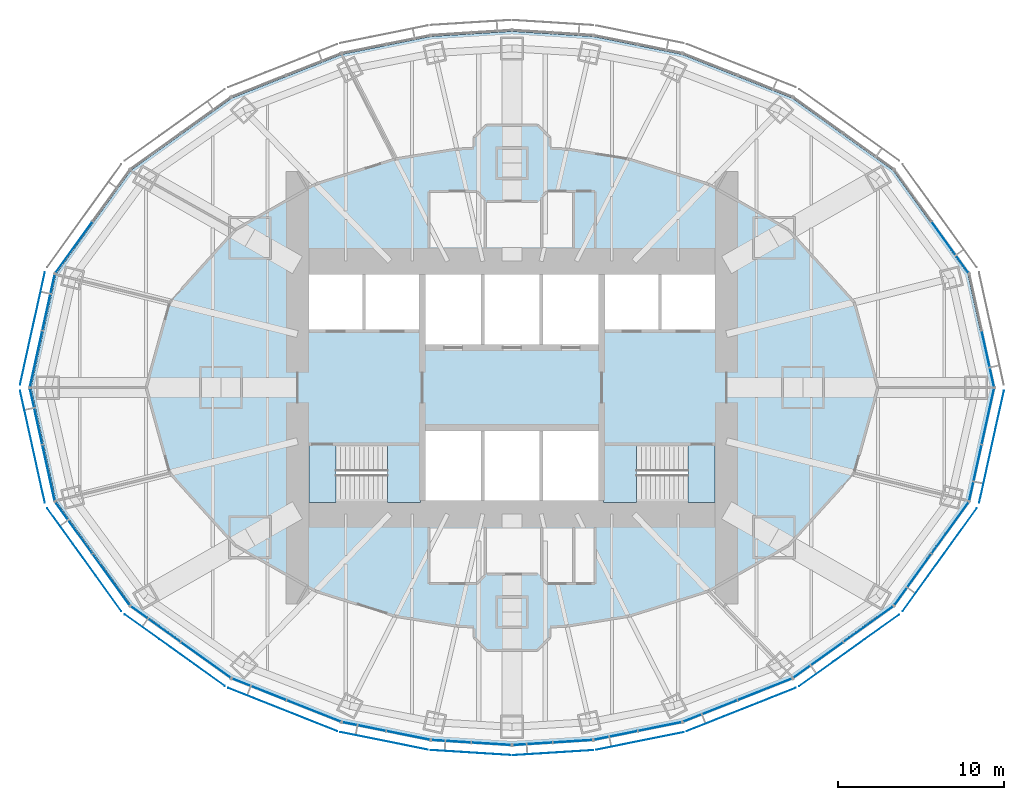
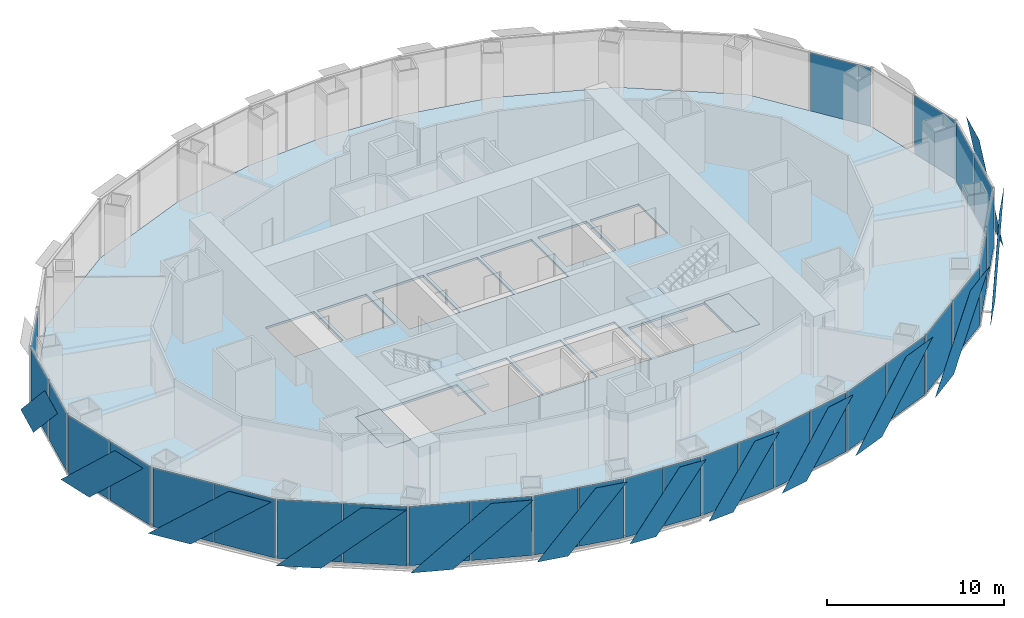
# One storey, part 9 of 17: 42 plates, 5 slabs, 18 elements without a shape of their own.
"""IFC4 building model written with IfcOpenShell, lengths in metres."""

from ifc_helpers import new_model, si_unit, direction, frame, origin, origin_2d, place, context, subcontext, project, spatial, polyline, rectangle, outline, extrude, material, layer, layer_set, type_object, element, aggregate, save


model = new_model("IFC4")

# Units and contexts
model_context = context("Model", 3, precision=1e-05, world=origin(), true_north=direction((0.0, 1.0)))
body_context = subcontext(model_context, "Body", "Model", "MODEL_VIEW")
ifc_project = project(units=[si_unit("LENGTHUNIT", "METRE"), si_unit("AREAUNIT", "SQUARE_METRE"), si_unit("VOLUMEUNIT", "CUBIC_METRE"), si_unit("PLANEANGLEUNIT", "RADIAN"), si_unit("MASSUNIT", "GRAM", prefix="KILO")], contexts=[model_context])

# Site, building, storey
site_placement = place(None, origin())
site = spatial("IfcSite", under=ifc_project, at=site_placement, CompositionType="ELEMENT")
building_placement = place(site_placement, origin())
building = spatial("IfcBuilding", under=site, at=building_placement, Name="Lantaw Convention Tower", CompositionType="ELEMENT")
storey_placement = place(building_placement, frame((0.0, 0.0, 117.39990234375)))
storey = spatial("IfcBuildingStorey", under=building, at=storey_placement, Name="L27", CompositionType="ELEMENT", Elevation=117.39990234375)

# Curtain wall, plate
ifc_material_1 = material(Name="Aluminium framed curtain wall", Category="aluminium")
curtain_wall_type = type_object("IfcCurtainWallType", Name="Office curtain wall low rise, pale aluminium", PredefinedType="USERDEFINED", material=ifc_material_1)
curtain_wall_1_placement = place(storey_placement, origin())
curtain_wall_1 = element("IfcCurtainWall", 1, at=curtain_wall_1_placement, inside=storey, type_object=curtain_wall_type, Name="Office curtain wall low rise, pale aluminium L27", ObjectType="UNITISED CURTAIN WALL", PredefinedType="USERDEFINED")
ifc_material_2 = material(Name="Clear insulating glass", Category="glass")
ifc_layer_1 = layer(ifc_material_2, 0.028076171875)
ifc_layer_set_1 = layer_set([ifc_layer_1], Name="CW-O1 panel 28")
plate_type_1 = type_object("IfcPlateType", Name="CW-O1 panel 28", PredefinedType="CURTAIN_PANEL", material=ifc_layer_set_1)
plate_1_placement = place(storey_placement, frame((28.618408203125, 1.729248046875, -0.0849609375), z_axis=(0.0, 0.0, 1.0), x_axis=(-0.215546166174, 0.9764936509, 0.0)))
plate_1 = element("IfcPlate", 2, at=plate_1_placement, type_object=plate_type_1, Name="CW-O1 panel 1.1", PredefinedType="CURTAIN_PANEL", context=body_context, shape_type="SweptSolid", body=[
    extrude(rectangle(XDim=3.41162109375, YDim=0.028076171875, at=origin_2d()), origin(), (0.0, 0.0, 1.0), 4.070068359375),
])
aggregate(curtain_wall_1, [plate_1])

curtain_wall_2_placement = place(storey_placement, origin())
curtain_wall_2 = element("IfcCurtainWall", 3, at=curtain_wall_2_placement, inside=storey, type_object=curtain_wall_type, Name="Office curtain wall low rise, pale aluminium L27", ObjectType="UNITISED CURTAIN WALL", PredefinedType="USERDEFINED")
plate_2_placement = place(storey_placement, frame((26.34814453125, 8.4345703125, -0.0849609375), z_axis=(0.0, 0.0, 1.0), x_axis=(-0.584512597221, 0.811384633629, 0.0)))
plate_2 = element("IfcPlate", 4, at=plate_2_placement, type_object=plate_type_1, Name="CW-O1 panel 1.1", PredefinedType="CURTAIN_PANEL", context=body_context, shape_type="SweptSolid", body=[
    extrude(rectangle(XDim=3.767333984375, YDim=0.028076171875, at=origin_2d()), origin(), (0.0, 0.0, 1.0), 4.070068359375),
])
aggregate(curtain_wall_2, [plate_2])

curtain_wall_3_placement = place(storey_placement, origin())
curtain_wall_3 = element("IfcCurtainWall", 5, at=curtain_wall_3_placement, inside=storey, type_object=curtain_wall_type, Name="Office curtain wall low rise, pale aluminium L27", ObjectType="UNITISED CURTAIN WALL", PredefinedType="USERDEFINED")
plate_3_placement = place(storey_placement, frame((-26.34814453125, 8.4345703125, -0.0849609375), z_axis=(0.0, 0.0, 1.0), x_axis=(-0.584512597221, -0.811384633629, 0.0)))
plate_3 = element("IfcPlate", 6, at=plate_3_placement, type_object=plate_type_1, Name="CW-O1 panel 2.1", PredefinedType="CURTAIN_PANEL", context=body_context, shape_type="SweptSolid", body=[
    extrude(rectangle(XDim=3.767333984375, YDim=0.028076171875, at=origin_2d()), origin(), (0.0, 0.0, 1.0), 4.070068359375),
])
aggregate(curtain_wall_3, [plate_3])

# Curtain wall, plates
curtain_wall_4_placement = place(storey_placement, origin())
curtain_wall_4 = element("IfcCurtainWall", 7, at=curtain_wall_4_placement, inside=storey, type_object=curtain_wall_type, Name="Office curtain wall low rise, pale aluminium L27", ObjectType="UNITISED CURTAIN WALL", PredefinedType="USERDEFINED")
plate_4_placement = place(storey_placement, frame((-27.868896484375, 5.1240234375, -0.0849609375), z_axis=(0.0, 0.0, 1.0), x_axis=(-0.215546166174, -0.9764936509, 0.0)))
plate_4 = element("IfcPlate", 8, at=plate_4_placement, type_object=plate_type_1, Name="CW-O1 panel 1.1", PredefinedType="CURTAIN_PANEL", context=body_context, shape_type="SweptSolid", body=[
    extrude(rectangle(XDim=3.41162109375, YDim=0.028076171875, at=origin_2d()), origin(), (0.0, 0.0, 1.0), 4.070068359375),
])
plate_5_placement = place(storey_placement, frame((-28.618408203125, 1.729248046875, -0.0849609375), z_axis=(0.0, 0.0, 1.0), x_axis=(-0.215546166174, -0.9764936509, 0.0)))
plate_5 = element("IfcPlate", 9, at=plate_5_placement, type_object=plate_type_1, Name="CW-O1 panel 2.1", PredefinedType="CURTAIN_PANEL", context=body_context, shape_type="SweptSolid", body=[
    extrude(rectangle(XDim=3.41162109375, YDim=0.028076171875, at=origin_2d()), origin(), (0.0, 0.0, 1.0), 4.070068359375),
])
aggregate(curtain_wall_4, [plate_4, plate_5])

curtain_wall_5_placement = place(storey_placement, origin())
curtain_wall_5 = element("IfcCurtainWall", 10, at=curtain_wall_5_placement, inside=storey, type_object=curtain_wall_type, Name="Office curtain wall low rise, pale aluminium L27", ObjectType="UNITISED CURTAIN WALL", PredefinedType="USERDEFINED")
plate_6_placement = place(storey_placement, frame((-28.618408203125, -1.729248046875, -0.0849609375), z_axis=(0.0, 0.0, 1.0), x_axis=(0.215546166174, -0.9764936509, 0.0)))
plate_6 = element("IfcPlate", 11, at=plate_6_placement, type_object=plate_type_1, Name="CW-O1 panel 1.1", PredefinedType="CURTAIN_PANEL", context=body_context, shape_type="SweptSolid", body=[
    extrude(rectangle(XDim=3.41162109375, YDim=0.028076171875, at=origin_2d()), origin(), (0.0, 0.0, 1.0), 4.070068359375),
])
plate_7_placement = place(storey_placement, frame((-27.868896484375, -5.1240234375, -0.0849609375), z_axis=(0.0, 0.0, 1.0), x_axis=(0.215546166174, -0.9764936509, 0.0)))
plate_7 = element("IfcPlate", 12, at=plate_7_placement, type_object=plate_type_1, Name="CW-O1 panel 2.1", PredefinedType="CURTAIN_PANEL", context=body_context, shape_type="SweptSolid", body=[
    extrude(rectangle(XDim=3.41162109375, YDim=0.028076171875, at=origin_2d()), origin(), (0.0, 0.0, 1.0), 4.070068359375),
])
aggregate(curtain_wall_5, [plate_6, plate_7])

curtain_wall_6_placement = place(storey_placement, origin())
curtain_wall_6 = element("IfcCurtainWall", 13, at=curtain_wall_6_placement, inside=storey, type_object=curtain_wall_type, Name="Office curtain wall low rise, pale aluminium L27", ObjectType="UNITISED CURTAIN WALL", PredefinedType="USERDEFINED")
plate_8_placement = place(storey_placement, frame((-26.34814453125, -8.4345703125, -0.0849609375), z_axis=(0.0, 0.0, 1.0), x_axis=(0.584512597221, -0.811384633629, 0.0)))
plate_8 = element("IfcPlate", 14, at=plate_8_placement, type_object=plate_type_1, Name="CW-O1 panel 1.1", PredefinedType="CURTAIN_PANEL", context=body_context, shape_type="SweptSolid", body=[
    extrude(rectangle(XDim=3.767333984375, YDim=0.028076171875, at=origin_2d()), origin(), (0.0, 0.0, 1.0), 4.070068359375),
])
plate_9_placement = place(storey_placement, frame((-24.108154296875, -11.5439453125, -0.0849609375), z_axis=(0.0, 0.0, 1.0), x_axis=(0.584512597221, -0.811384633629, 0.0)))
plate_9 = element("IfcPlate", 15, at=plate_9_placement, type_object=plate_type_1, Name="CW-O1 panel 2.1", PredefinedType="CURTAIN_PANEL", context=body_context, shape_type="SweptSolid", body=[
    extrude(rectangle(XDim=3.767333984375, YDim=0.028076171875, at=origin_2d()), origin(), (0.0, 0.0, 1.0), 4.070068359375),
])
aggregate(curtain_wall_6, [plate_8, plate_9])

curtain_wall_7_placement = place(storey_placement, origin())
curtain_wall_7 = element("IfcCurtainWall", 16, at=curtain_wall_7_placement, inside=storey, type_object=curtain_wall_type, Name="Office curtain wall low rise, pale aluminium L27", ObjectType="UNITISED CURTAIN WALL", PredefinedType="USERDEFINED")
plate_10_placement = place(storey_placement, frame((-21.43408203125, -14.2236328125, -0.0849609375), z_axis=(0.0, 0.0, 1.0), x_axis=(0.813208325995, -0.581972695693, 0.0)))
plate_10 = element("IfcPlate", 17, at=plate_10_placement, type_object=plate_type_1, Name="CW-O1 panel 1.1", PredefinedType="CURTAIN_PANEL", context=body_context, shape_type="SweptSolid", body=[
    extrude(rectangle(XDim=3.645263671875, YDim=0.028076171875, at=origin_2d()), origin(), (0.0, 0.0, 1.0), 4.070068359375),
])
plate_11_placement = place(storey_placement, frame((-18.416748046875, -16.383056640625, -0.0849609375), z_axis=(0.0, 0.0, 1.0), x_axis=(0.813208325995, -0.581972695693, 0.0)))
plate_11 = element("IfcPlate", 18, at=plate_11_placement, type_object=plate_type_1, Name="CW-O1 panel 2.1", PredefinedType="CURTAIN_PANEL", context=body_context, shape_type="SweptSolid", body=[
    extrude(rectangle(XDim=3.645263671875, YDim=0.028076171875, at=origin_2d()), origin(), (0.0, 0.0, 1.0), 4.070068359375),
])
aggregate(curtain_wall_7, [plate_10, plate_11])

curtain_wall_8_placement = place(storey_placement, origin())
curtain_wall_8 = element("IfcCurtainWall", 19, at=curtain_wall_8_placement, inside=storey, type_object=curtain_wall_type, Name="Office curtain wall low rise, pale aluminium L27", ObjectType="UNITISED CURTAIN WALL", PredefinedType="USERDEFINED")
plate_12_placement = place(storey_placement, frame((-15.208251953125, -18.145263671875, -0.0849609375), z_axis=(0.0, 0.0, 1.0), x_axis=(0.929547687544, -0.368701907483, 0.0)))
plate_12 = element("IfcPlate", 20, at=plate_12_placement, type_object=plate_type_1, Name="CW-O1 panel 1.1", PredefinedType="CURTAIN_PANEL", context=body_context, shape_type="SweptSolid", body=[
    extrude(rectangle(XDim=3.470703125, YDim=0.028076171875, at=origin_2d()), origin(), (0.0, 0.0, 1.0), 4.070068359375),
])
plate_13_placement = place(storey_placement, frame((-11.921630859375, -19.448974609375, -0.0849609375), z_axis=(0.0, 0.0, 1.0), x_axis=(0.929547687544, -0.368701907483, 0.0)))
plate_13 = element("IfcPlate", 21, at=plate_13_placement, type_object=plate_type_1, Name="CW-O1 panel 2.1", PredefinedType="CURTAIN_PANEL", context=body_context, shape_type="SweptSolid", body=[
    extrude(rectangle(XDim=3.470703125, YDim=0.028076171875, at=origin_2d()), origin(), (0.0, 0.0, 1.0), 4.070068359375),
])
aggregate(curtain_wall_8, [plate_12, plate_13])

curtain_wall_9_placement = place(storey_placement, origin())
curtain_wall_9 = element("IfcCurtainWall", 22, at=curtain_wall_9_placement, inside=storey, type_object=curtain_wall_type, Name="Office curtain wall low rise, pale aluminium L27", ObjectType="UNITISED CURTAIN WALL", PredefinedType="USERDEFINED")
plate_14_placement = place(storey_placement, frame((-8.893310546875, -20.3857421875, -0.0849609375), z_axis=(0.0, 0.0, 1.0), x_axis=(0.980301514912, -0.197506809659, 0.0)))
plate_14 = element("IfcPlate", 23, at=plate_14_placement, type_object=plate_type_1, Name="CW-O1 panel 1.1", PredefinedType="CURTAIN_PANEL", context=body_context, shape_type="SweptSolid", body=[
    extrude(rectangle(XDim=2.634033203125, YDim=0.028076171875, at=origin_2d()), origin(), (0.0, 0.0, 1.0), 4.070068359375),
])
plate_15_placement = place(storey_placement, frame((-6.247314453125, -20.9189453125, -0.0849609375), z_axis=(0.0, 0.0, 1.0), x_axis=(0.980301514912, -0.197506809659, 0.0)))
plate_15 = element("IfcPlate", 24, at=plate_15_placement, type_object=plate_type_1, Name="CW-O1 panel 2.1", PredefinedType="CURTAIN_PANEL", context=body_context, shape_type="SweptSolid", body=[
    extrude(rectangle(XDim=2.634033203125, YDim=0.028076171875, at=origin_2d()), origin(), (0.0, 0.0, 1.0), 4.070068359375),
])
aggregate(curtain_wall_9, [plate_14, plate_15])

curtain_wall_10_placement = place(storey_placement, origin())
curtain_wall_10 = element("IfcCurtainWall", 25, at=curtain_wall_10_placement, inside=storey, type_object=curtain_wall_type, Name="Office curtain wall low rise, pale aluminium L27", ObjectType="UNITISED CURTAIN WALL", PredefinedType="USERDEFINED")
plate_16_placement = place(storey_placement, frame((-3.653076171875, -21.269775390625, -0.0849609375), z_axis=(0.0, 0.0, 1.0), x_axis=(0.998022035978, -0.062865059466, 0.0)))
plate_16 = element("IfcPlate", 26, at=plate_16_placement, type_object=plate_type_1, Name="CW-O1 panel 1.1", PredefinedType="CURTAIN_PANEL", context=body_context, shape_type="SweptSolid", body=[
    extrude(rectangle(XDim=2.353515625, YDim=0.028076171875, at=origin_2d()), origin(), (0.0, 0.0, 1.0), 4.070068359375),
])
plate_17_placement = place(storey_placement, frame((-1.2392578125, -21.421875, -0.0849609375), z_axis=(0.0, 0.0, 1.0), x_axis=(0.998022035978, -0.062865059466, 0.0)))
plate_17 = element("IfcPlate", 27, at=plate_17_placement, type_object=plate_type_1, Name="CW-O1 panel 2.1", PredefinedType="CURTAIN_PANEL", context=body_context, shape_type="SweptSolid", body=[
    extrude(rectangle(XDim=2.353515625, YDim=0.028076171875, at=origin_2d()), origin(), (0.0, 0.0, 1.0), 4.070068359375),
])
aggregate(curtain_wall_10, [plate_16, plate_17])

curtain_wall_11_placement = place(storey_placement, origin())
curtain_wall_11 = element("IfcCurtainWall", 28, at=curtain_wall_11_placement, inside=storey, type_object=curtain_wall_type, Name="Office curtain wall low rise, pale aluminium L27", ObjectType="UNITISED CURTAIN WALL", PredefinedType="USERDEFINED")
plate_18_placement = place(storey_placement, frame((1.2392578125, -21.421875, -0.0849609375), z_axis=(0.0, 0.0, 1.0), x_axis=(0.998022035978, 0.062865059466, 0.0)))
plate_18 = element("IfcPlate", 29, at=plate_18_placement, type_object=plate_type_1, Name="CW-O1 panel 1.1", PredefinedType="CURTAIN_PANEL", context=body_context, shape_type="SweptSolid", body=[
    extrude(rectangle(XDim=2.353515625, YDim=0.028076171875, at=origin_2d()), origin(), (0.0, 0.0, 1.0), 4.070068359375),
])
plate_19_placement = place(storey_placement, frame((3.653076171875, -21.269775390625, -0.0849609375), z_axis=(0.0, 0.0, 1.0), x_axis=(0.998022035978, 0.062865059466, 0.0)))
plate_19 = element("IfcPlate", 30, at=plate_19_placement, type_object=plate_type_1, Name="CW-O1 panel 2.1", PredefinedType="CURTAIN_PANEL", context=body_context, shape_type="SweptSolid", body=[
    extrude(rectangle(XDim=2.353515625, YDim=0.028076171875, at=origin_2d()), origin(), (0.0, 0.0, 1.0), 4.070068359375),
])
aggregate(curtain_wall_11, [plate_18, plate_19])

curtain_wall_12_placement = place(storey_placement, origin())
curtain_wall_12 = element("IfcCurtainWall", 31, at=curtain_wall_12_placement, inside=storey, type_object=curtain_wall_type, Name="Office curtain wall low rise, pale aluminium L27", ObjectType="UNITISED CURTAIN WALL", PredefinedType="USERDEFINED")
plate_20_placement = place(storey_placement, frame((6.247314453125, -20.9189453125, -0.0849609375), z_axis=(0.0, 0.0, 1.0), x_axis=(0.980301514912, 0.197506809659, 0.0)))
plate_20 = element("IfcPlate", 32, at=plate_20_placement, type_object=plate_type_1, Name="CW-O1 panel 1.1", PredefinedType="CURTAIN_PANEL", context=body_context, shape_type="SweptSolid", body=[
    extrude(rectangle(XDim=2.634033203125, YDim=0.028076171875, at=origin_2d()), origin(), (0.0, 0.0, 1.0), 4.070068359375),
])
plate_21_placement = place(storey_placement, frame((8.893310546875, -20.3857421875, -0.0849609375), z_axis=(0.0, 0.0, 1.0), x_axis=(0.980301514912, 0.197506809659, 0.0)))
plate_21 = element("IfcPlate", 33, at=plate_21_placement, type_object=plate_type_1, Name="CW-O1 panel 2.1", PredefinedType="CURTAIN_PANEL", context=body_context, shape_type="SweptSolid", body=[
    extrude(rectangle(XDim=2.634033203125, YDim=0.028076171875, at=origin_2d()), origin(), (0.0, 0.0, 1.0), 4.070068359375),
])
aggregate(curtain_wall_12, [plate_20, plate_21])

curtain_wall_13_placement = place(storey_placement, origin())
curtain_wall_13 = element("IfcCurtainWall", 34, at=curtain_wall_13_placement, inside=storey, type_object=curtain_wall_type, Name="Office curtain wall low rise, pale aluminium L27", ObjectType="UNITISED CURTAIN WALL", PredefinedType="USERDEFINED")
plate_22_placement = place(storey_placement, frame((11.921630859375, -19.448974609375, -0.0849609375), z_axis=(0.0, 0.0, 1.0), x_axis=(0.929547687544, 0.368701907483, 0.0)))
plate_22 = element("IfcPlate", 35, at=plate_22_placement, type_object=plate_type_1, Name="CW-O1 panel 1.1", PredefinedType="CURTAIN_PANEL", context=body_context, shape_type="SweptSolid", body=[
    extrude(rectangle(XDim=3.470703125, YDim=0.028076171875, at=origin_2d()), origin(), (0.0, 0.0, 1.0), 4.070068359375),
])
plate_23_placement = place(storey_placement, frame((15.208251953125, -18.145263671875, -0.0849609375), z_axis=(0.0, 0.0, 1.0), x_axis=(0.929547687544, 0.368701907483, 0.0)))
plate_23 = element("IfcPlate", 36, at=plate_23_placement, type_object=plate_type_1, Name="CW-O1 panel 2.1", PredefinedType="CURTAIN_PANEL", context=body_context, shape_type="SweptSolid", body=[
    extrude(rectangle(XDim=3.470703125, YDim=0.028076171875, at=origin_2d()), origin(), (0.0, 0.0, 1.0), 4.070068359375),
])
aggregate(curtain_wall_13, [plate_22, plate_23])

curtain_wall_14_placement = place(storey_placement, origin())
curtain_wall_14 = element("IfcCurtainWall", 37, at=curtain_wall_14_placement, inside=storey, type_object=curtain_wall_type, Name="Office curtain wall low rise, pale aluminium L27", ObjectType="UNITISED CURTAIN WALL", PredefinedType="USERDEFINED")
plate_24_placement = place(storey_placement, frame((18.416748046875, -16.383056640625, -0.0849609375), z_axis=(0.0, 0.0, 1.0), x_axis=(0.813208325995, 0.581972695693, 0.0)))
plate_24 = element("IfcPlate", 38, at=plate_24_placement, type_object=plate_type_1, Name="CW-O1 panel 1.1", PredefinedType="CURTAIN_PANEL", context=body_context, shape_type="SweptSolid", body=[
    extrude(rectangle(XDim=3.645263671875, YDim=0.028076171875, at=origin_2d()), origin(), (0.0, 0.0, 1.0), 4.070068359375),
])
plate_25_placement = place(storey_placement, frame((21.43408203125, -14.2236328125, -0.0849609375), z_axis=(0.0, 0.0, 1.0), x_axis=(0.813208325995, 0.581972695693, 0.0)))
plate_25 = element("IfcPlate", 39, at=plate_25_placement, type_object=plate_type_1, Name="CW-O1 panel 2.1", PredefinedType="CURTAIN_PANEL", context=body_context, shape_type="SweptSolid", body=[
    extrude(rectangle(XDim=3.645263671875, YDim=0.028076171875, at=origin_2d()), origin(), (0.0, 0.0, 1.0), 4.070068359375),
])
aggregate(curtain_wall_14, [plate_24, plate_25])

curtain_wall_15_placement = place(storey_placement, origin())
curtain_wall_15 = element("IfcCurtainWall", 40, at=curtain_wall_15_placement, inside=storey, type_object=curtain_wall_type, Name="Office curtain wall low rise, pale aluminium L27", ObjectType="UNITISED CURTAIN WALL", PredefinedType="USERDEFINED")
plate_26_placement = place(storey_placement, frame((24.108154296875, -11.5439453125, -0.0849609375), z_axis=(0.0, 0.0, 1.0), x_axis=(0.584512597221, 0.811384633629, 0.0)))
plate_26 = element("IfcPlate", 41, at=plate_26_placement, type_object=plate_type_1, Name="CW-O1 panel 1.1", PredefinedType="CURTAIN_PANEL", context=body_context, shape_type="SweptSolid", body=[
    extrude(rectangle(XDim=3.767333984375, YDim=0.028076171875, at=origin_2d()), origin(), (0.0, 0.0, 1.0), 4.070068359375),
])
plate_27_placement = place(storey_placement, frame((26.34814453125, -8.4345703125, -0.0849609375), z_axis=(0.0, 0.0, 1.0), x_axis=(0.584512597221, 0.811384633629, 0.0)))
plate_27 = element("IfcPlate", 42, at=plate_27_placement, type_object=plate_type_1, Name="CW-O1 panel 2.1", PredefinedType="CURTAIN_PANEL", context=body_context, shape_type="SweptSolid", body=[
    extrude(rectangle(XDim=3.767333984375, YDim=0.028076171875, at=origin_2d()), origin(), (0.0, 0.0, 1.0), 4.070068359375),
])
aggregate(curtain_wall_15, [plate_26, plate_27])

curtain_wall_16_placement = place(storey_placement, origin())
curtain_wall_16 = element("IfcCurtainWall", 43, at=curtain_wall_16_placement, inside=storey, type_object=curtain_wall_type, Name="Office curtain wall low rise, pale aluminium L27", ObjectType="UNITISED CURTAIN WALL", PredefinedType="USERDEFINED")
plate_28_placement = place(storey_placement, frame((27.868896484375, -5.1240234375, -0.0849609375), z_axis=(0.0, 0.0, 1.0), x_axis=(0.215546166174, 0.9764936509, 0.0)))
plate_28 = element("IfcPlate", 44, at=plate_28_placement, type_object=plate_type_1, Name="CW-O1 panel 1.1", PredefinedType="CURTAIN_PANEL", context=body_context, shape_type="SweptSolid", body=[
    extrude(rectangle(XDim=3.41162109375, YDim=0.028076171875, at=origin_2d()), origin(), (0.0, 0.0, 1.0), 4.070068359375),
])
plate_29_placement = place(storey_placement, frame((28.618408203125, -1.729248046875, -0.0849609375), z_axis=(0.0, 0.0, 1.0), x_axis=(0.215546166174, 0.9764936509, 0.0)))
plate_29 = element("IfcPlate", 45, at=plate_29_placement, type_object=plate_type_1, Name="CW-O1 panel 2.1", PredefinedType="CURTAIN_PANEL", context=body_context, shape_type="SweptSolid", body=[
    extrude(rectangle(XDim=3.41162109375, YDim=0.028076171875, at=origin_2d()), origin(), (0.0, 0.0, 1.0), 4.070068359375),
])
aggregate(curtain_wall_16, [plate_28, plate_29])

# Slab
ifc_material_3 = material(Name="Concrete C35/45", Category="concrete")
ifc_layer_2 = layer(ifc_material_3, 0.14990234375)
ifc_layer_set_2 = layer_set([ifc_layer_2], Name="Floor slab 150")
slab_type_1 = type_object("IfcSlabType", Name="Floor slab 150", PredefinedType="FLOOR", material=ifc_layer_set_2)
slab_1_placement = place(storey_placement, frame((0.0, 0.0, -0.14990234375)))
element("IfcSlab", 46, at=slab_1_placement, inside=storey, type_object=slab_type_1, Name="L27 floor slab", PredefinedType="FLOOR", context=body_context, shape_type="SweptSolid", body=[
    extrude(outline(polyline([(27.417236328125, -6.822021484375), (28.923095703125, 0.0), (27.417236328125, 6.822021484375), (22.915283203125, 13.0712890625), (16.845458984375, 17.415283203125), (10.2265625, 20.04052734375), (4.8828125, 21.1171875), (0.0, 21.4248046875), (-4.8828125, 21.1171875), (-10.2265625, 20.04052734375), (-16.845458984375, 17.415283203125), (-22.915283203125, 13.0712890625), (-27.417236328125, 6.822021484375), (-28.923095703125, 0.0), (-27.417236328125, -6.822021484375), (-22.915283203125, -13.0712890625), (-16.845458984375, -17.415283203125), (-10.2265625, -20.04052734375), (-4.8828125, -21.1171875), (0.0, -21.4248046875), (4.8828125, -21.1171875), (10.2265625, -20.04052734375), (16.845458984375, -17.415283203125), (22.915283203125, -13.0712890625), (27.417236328125, -6.822021484375)]), holes=[polyline([(-5.60009765625, -3.5), (-12.199951171875, -3.5), (-12.199951171875, -6.800048828125), (-5.60009765625, -6.800048828125), (-5.60009765625, -3.5)]), polyline([(-1.86669921875, -6.800048828125), (-1.86669921875, -2.60009765625), (-5.199951171875, -2.60009765625), (-5.199951171875, -6.800048828125), (-1.86669921875, -6.800048828125)]), polyline([(-1.86669921875, 2.60009765625), (-1.86669921875, 6.800048828125), (-5.199951171875, 6.800048828125), (-5.199951171875, 2.60009765625), (-1.86669921875, 2.60009765625)]), polyline([(1.666748046875, 6.800048828125), (-1.666748046875, 6.800048828125), (-1.666748046875, 2.60009765625), (1.666748046875, 2.60009765625), (1.666748046875, 6.800048828125)]), polyline([(-9.0, 3.5), (-9.0, 6.800048828125), (-12.199951171875, 6.800048828125), (-12.199951171875, 3.5), (-9.0, 3.5)]), polyline([(-5.60009765625, 3.5), (-5.60009765625, 6.800048828125), (-8.800048828125, 6.800048828125), (-8.800048828125, 3.5), (-5.60009765625, 3.5)]), polyline([(12.199951171875, -3.5), (5.60009765625, -3.5), (5.60009765625, -6.800048828125), (12.199951171875, -6.800048828125), (12.199951171875, -3.5)]), polyline([(1.666748046875, -6.800048828125), (1.666748046875, -2.60009765625), (-1.666748046875, -2.60009765625), (-1.666748046875, -6.800048828125), (1.666748046875, -6.800048828125)]), polyline([(5.199951171875, -6.800048828125), (5.199951171875, -2.60009765625), (1.86669921875, -2.60009765625), (1.86669921875, -6.800048828125), (5.199951171875, -6.800048828125)]), polyline([(5.199951171875, 6.800048828125), (1.86669921875, 6.800048828125), (1.86669921875, 2.60009765625), (5.199951171875, 2.60009765625), (5.199951171875, 6.800048828125)]), polyline([(8.800048828125, 3.5), (8.800048828125, 6.800048828125), (5.60009765625, 6.800048828125), (5.60009765625, 3.5), (8.800048828125, 3.5)]), polyline([(12.199951171875, 3.5), (12.199951171875, 6.800048828125), (9.0, 6.800048828125), (9.0, 3.5), (12.199951171875, 3.5)])]), origin(), (0.0, 0.0, 1.0), 0.14990234375),
])

# Plates
ifc_material_4 = material(Name="Perforated aluminium sheet, pale silver finish", Category="aluminium")
ifc_layer_3 = layer(ifc_material_4, 0.006103515625)
ifc_layer_set_3 = layer_set([ifc_layer_3], Name="Perforated aluminium solar SCREEN panel")
plate_type_2 = type_object("IfcPlateType", Name="Perforated aluminium solar SCREEN panel", PredefinedType="SHEET", material=ifc_layer_set_3)
plate_30_placement = place(storey_placement, frame((-28.08984375, 6.93505859375, -0.1748046875), z_axis=(0.976497812463, -0.215527309509, 3.3329045e-05), x_axis=(-0.215527309629, -0.976497813005, -1.665e-09)))
element("IfcPlate", 47, at=plate_30_placement, inside=storey, type_object=plate_type_2, Name="Solar SCREEN panel", PredefinedType="SHEET", context=body_context, shape_type="SweptSolid", body=[
    extrude(outline(polyline([(0.0, 0.0), (2.386131748388921, -3.3881317890172014e-21), (6.918240176095255, -4.339843763929156), (4.532055808734257, -4.33984375598333), (0.0, 0.0)])), origin(), (0.0, 0.0, -1.0), 0.006103515625),
])
plate_31_placement = place(storey_placement, frame((-29.5810546875, -0.179443359375, -0.1748046875), z_axis=(-0.976497812463, -0.215527309509, 3.3329045e-05), x_axis=(0.215527309629, -0.976497813005, 1.665e-09)))
element("IfcPlate", 48, at=plate_31_placement, inside=storey, type_object=plate_type_2, Name="Solar SCREEN panel", PredefinedType="SHEET", context=body_context, shape_type="SweptSolid", body=[
    extrude(outline(polyline([(0.0, 0.0), (2.3861843673609986, 0.0), (6.918240190546627, 4.339843740891906), (4.532108442157707, 4.339843748837556), (0.0, 0.0)])), origin(), (0.0, 0.0, -1.0), 0.006103515625),
])
plate_32_placement = place(storey_placement, frame((-27.94970703125, -7.248046875, -0.1748046875), z_axis=(-0.81139512159, -0.584498037099, 3.5888803e-05), x_axis=(0.584498037475, -0.811395122112, -9.74e-10)))
element("IfcPlate", 49, at=plate_32_placement, inside=storey, type_object=plate_type_2, Name="Solar SCREEN panel", PredefinedType="SHEET", context=body_context, shape_type="SweptSolid", body=[
    extrude(outline(polyline([(0.0, 0.0), (2.628222178575422, -6.776263578034403e-21), (7.629778257969264, 4.339843760228519), (5.001754173906077, 4.339843755107391), (0.0, 0.0)])), origin(), (0.0, 0.0, -1.0), 0.006103515625),
])
plate_33_placement = place(storey_placement, frame((-23.281005859375, -13.64697265625, -0.1748046875), z_axis=(-0.582000183937, -0.813188653244, 1.1537794e-05), x_axis=(0.813188653298, -0.582000183975, 0.0)))
element("IfcPlate", 50, at=plate_33_placement, inside=storey, type_object=plate_type_2, Name="Solar SCREEN panel", PredefinedType="SHEET", context=body_context, shape_type="SweptSolid", body=[
    extrude(outline(polyline([(0.0, 0.0), (2.5450183911586484, 1.6940658945086007e-21), (7.385531276904658, 4.339843750288861), (4.840512885746009, 4.339843750288861), (0.0, 0.0)])), origin(), (0.0, 0.0, -1.0), 0.006103515625),
])
plate_34_placement = place(storey_placement, frame((-17.05859375, -18.063232421875, -0.1748046875), z_axis=(0.368708915367, 0.929544907797, 1.0867661e-05), x_axis=(0.929544907851, -0.368708915389, 7.1e-10)))
element("IfcPlate", 51, at=plate_34_placement, inside=storey, type_object=plate_type_2, Name="Solar SCREEN panel", PredefinedType="SHEET", context=body_context, shape_type="SweptSolid", body=[
    extrude(outline(polyline([(0.0, 0.0), (2.4263803793049097, 0.0), (7.036549629566982, -4.339843745261612), (4.61003232741235, -4.339843748706285), (0.0, 0.0)])), origin(), (0.0, 0.0, -1.0), 0.006103515625),
])
plate_35_placement = place(storey_placement, frame((-10.318603515625, -20.716796875, -0.1748046875), z_axis=(-0.197556725442, -0.980291455983, 3.9485719e-05), x_axis=(0.980291456747, -0.197556725596, 0.0)))
element("IfcPlate", 52, at=plate_35_placement, inside=storey, type_object=plate_type_2, Name="Solar SCREEN panel", PredefinedType="SHEET", context=body_context, shape_type="SweptSolid", body=[
    extrude(outline(polyline([(0.0, 0.0), (1.8574075788555457, 1.6940658945086007e-21), (5.362987026845185, 4.339843753383173), (3.505579447989639, 4.339843753383173), (0.0, 0.0)])), origin(), (0.0, 0.0, -1.0), 0.006103515625),
])
plate_36_placement = place(storey_placement, frame((-4.880615234375, -21.7998046875, -0.1748046875), z_axis=(-0.062838799866, -0.998023689713, 1.755158e-06), x_axis=(0.998023689715, -0.062838799866, -8e-12)))
element("IfcPlate", 53, at=plate_36_placement, inside=storey, type_object=plate_type_2, Name="Solar SCREEN panel", PredefinedType="SHEET", context=body_context, shape_type="SweptSolid", body=[
    extrude(outline(polyline([(0.0, 0.0), (1.6666243269452135, 2.6469779601696886e-23), (4.802214797186689, 4.339843750045478), (3.135346812114104, 4.33984375001855), (0.0, 0.0)])), origin(), (0.0, 0.0, -1.0), 0.006103515625),
])
plate_37_placement = place(storey_placement, frame((0.087890625, -22.1015625, -0.1748046875), z_axis=(-0.062838799866, 0.998023689713, 1.755158e-06), x_axis=(0.998023689715, 0.062838799866, 8e-12)))
element("IfcPlate", 54, at=plate_37_placement, inside=storey, type_object=plate_type_2, Name="Solar SCREEN panel", PredefinedType="SHEET", context=body_context, shape_type="SweptSolid", body=[
    extrude(outline(polyline([(0.0, 0.0), (1.6668679850725854, -5.293955920339377e-23), (4.802214797256801, -4.339843749967897), (3.1355904703115876, -4.339843749994822), (0.0, 0.0)])), origin(), (0.0, 0.0, -1.0), 0.006103515625),
])
plate_38_placement = place(storey_placement, frame((5.061279296875, -21.776123046875, -0.1748046875), z_axis=(-0.197556725442, 0.980291455983, 3.9485719e-05), x_axis=(0.980291456747, 0.197556725596, 0.0)))
element("IfcPlate", 55, at=plate_38_placement, inside=storey, type_object=plate_type_2, Name="Solar SCREEN panel", PredefinedType="SHEET", context=body_context, shape_type="SweptSolid", body=[
    extrude(outline(polyline([(0.0, 0.0), (1.8574075788555457, -1.6940658945086007e-21), (5.362987026845185, -4.339843753383173), (3.505579447989639, -4.339843753383173), (0.0, 0.0)])), origin(), (0.0, 0.0, -1.0), 0.006103515625),
])
plate_39_placement = place(storey_placement, frame((10.517822265625, -20.65771484375, -0.1748046875), z_axis=(0.368708915367, -0.929544907797, 1.0867661e-05), x_axis=(0.929544907851, 0.368708915389, -7.1e-10)))
element("IfcPlate", 56, at=plate_39_placement, inside=storey, type_object=plate_type_2, Name="Solar SCREEN panel", PredefinedType="SHEET", context=body_context, shape_type="SweptSolid", body=[
    extrude(outline(polyline([(0.0, 0.0), (2.426517302154632, 1.6940658945086007e-21), (7.036549623406159, 4.339843755250667), (4.610169244101249, 4.339843751806188), (0.0, 0.0)])), origin(), (0.0, 0.0, -1.0), 0.006103515625),
])
plate_40_placement = place(storey_placement, frame((17.275146484375, -17.9453125, -0.1748046875), z_axis=(-0.582000183937, 0.813188653244, 1.1537794e-05), x_axis=(0.813188653298, 0.582000183975, 0.0)))
element("IfcPlate", 57, at=plate_40_placement, inside=storey, type_object=plate_type_2, Name="Solar SCREEN panel", PredefinedType="SHEET", context=body_context, shape_type="SweptSolid", body=[
    extrude(outline(polyline([(0.0, 0.0), (2.5450183911586484, -1.6940658945086007e-21), (7.385531276904658, -4.339843750288861), (4.840512885746009, -4.339843750288861), (0.0, 0.0)])), origin(), (0.0, 0.0, -1.0), 0.006103515625),
])
plate_41_placement = place(storey_placement, frame((23.489990234375, -13.438720703125, -0.1748046875), z_axis=(-0.81139512159, 0.584498037099, 3.5888803e-05), x_axis=(0.584498037475, 0.811395122112, 9.74e-10)))
element("IfcPlate", 58, at=plate_41_placement, inside=storey, type_object=plate_type_2, Name="Solar SCREEN panel", PredefinedType="SHEET", context=body_context, shape_type="SweptSolid", body=[
    extrude(outline(polyline([(0.0, 0.0), (2.6280240840631874, 6.776263578034403e-21), (7.62977826642615, -4.339843745360666), (5.001556087850728, -4.3398437504821805), (0.0, 0.0)])), origin(), (0.0, 0.0, -1.0), 0.006103515625),
])
plate_42_placement = place(storey_placement, frame((28.08984375, -6.93505859375, -0.1748046875), z_axis=(-0.976497812463, 0.215527309509, 3.3329045e-05), x_axis=(0.215527309629, 0.976497813005, -1.665e-09)))
element("IfcPlate", 59, at=plate_42_placement, inside=storey, type_object=plate_type_2, Name="Solar SCREEN panel", PredefinedType="SHEET", context=body_context, shape_type="SweptSolid", body=[
    extrude(outline(polyline([(0.0, 0.0), (2.386131748388921, -3.3881317890172014e-21), (6.918240176095255, -4.339843763929156), (4.532055808734257, -4.33984375598333), (0.0, 0.0)])), origin(), (0.0, 0.0, -1.0), 0.006103515625),
])

# Stair, slabs
stair_type = type_object("IfcStairType", Name="Exit stair 1500 riser 175 in 2 flights", PredefinedType="HALF_TURN_STAIR", material=ifc_material_3)
stair_1_placement = place(storey_placement, origin())
stair_1 = element("IfcStair", 60, at=stair_1_placement, inside=storey, type_object=stair_type, Name="Exit stair S1 L27", PredefinedType="HALF_TURN_STAIR")
ifc_layer_4 = layer(ifc_material_3, 0.199951171875)
ifc_layer_set_4 = layer_set([ifc_layer_4], Name="Stair landing 200")
slab_type_2 = type_object("IfcSlabType", Name="Stair landing 200", PredefinedType="LANDING", material=ifc_layer_set_4)
slab_2_placement = place(storey_placement, frame((0.0, 0.0, -0.199951171875)))
slab_2 = element("IfcSlab", 61, at=slab_2_placement, type_object=slab_type_2, Name="S1 landing 1", PredefinedType="LANDING", context=body_context, shape_type="SweptSolid", body=[
    extrude(outline(polyline([(-12.199951171875, -6.89990234375), (-10.580078125, -6.89990234375), (-10.580078125, -3.39990234375), (-12.199951171875, -3.39990234375), (-12.199951171875, -6.89990234375)])), origin(), (0.0, 0.0, 1.0), 0.199951171875),
])
slab_3_placement = place(storey_placement, frame((0.0, 0.0, 1.900146484375)))
slab_3 = element("IfcSlab", 62, at=slab_3_placement, type_object=slab_type_2, Name="S1 landing 2", PredefinedType="LANDING", context=body_context, shape_type="SweptSolid", body=[
    extrude(outline(polyline([(-7.5, -6.89990234375), (-5.5, -6.89990234375), (-5.5, -3.39990234375), (-7.5, -3.39990234375), (-7.5, -6.89990234375)])), origin(), (0.0, 0.0, 1.0), 0.199951171875),
])
aggregate(stair_1, [slab_2, slab_3])

stair_2_placement = place(storey_placement, origin())
stair_2 = element("IfcStair", 63, at=stair_2_placement, inside=storey, type_object=stair_type, Name="Exit stair S2 L27", PredefinedType="HALF_TURN_STAIR")
slab_4_placement = place(storey_placement, frame((0.0, 0.0, -0.199951171875)))
slab_4 = element("IfcSlab", 64, at=slab_4_placement, type_object=slab_type_2, Name="S2 landing 1", PredefinedType="LANDING", context=body_context, shape_type="SweptSolid", body=[
    extrude(outline(polyline([(10.580078125, -6.89990234375), (12.199951171875, -6.89990234375), (12.199951171875, -3.39990234375), (10.580078125, -3.39990234375), (10.580078125, -6.89990234375)])), origin(), (0.0, 0.0, 1.0), 0.199951171875),
])
slab_5_placement = place(storey_placement, frame((0.0, 0.0, 1.900146484375)))
slab_5 = element("IfcSlab", 65, at=slab_5_placement, type_object=slab_type_2, Name="S2 landing 2", PredefinedType="LANDING", context=body_context, shape_type="SweptSolid", body=[
    extrude(outline(polyline([(5.5, -6.89990234375), (7.5, -6.89990234375), (7.5, -3.39990234375), (5.5, -3.39990234375), (5.5, -6.89990234375)])), origin(), (0.0, 0.0, 1.0), 0.199951171875),
])
aggregate(stair_2, [slab_4, slab_5])

save(model, "model.ifc")
